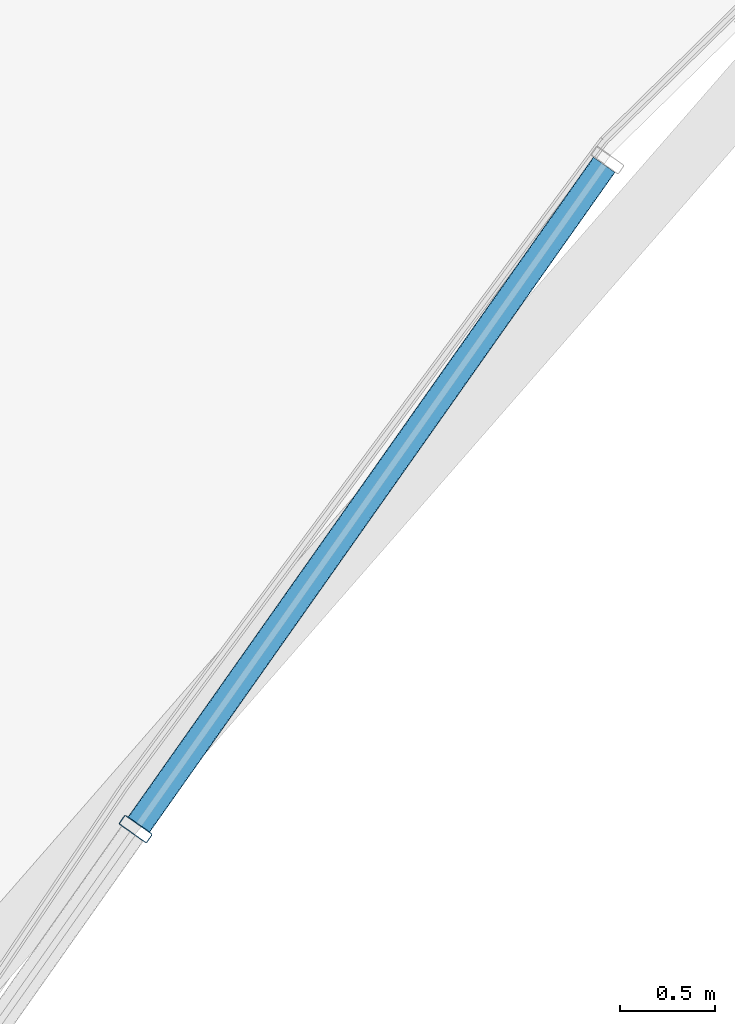
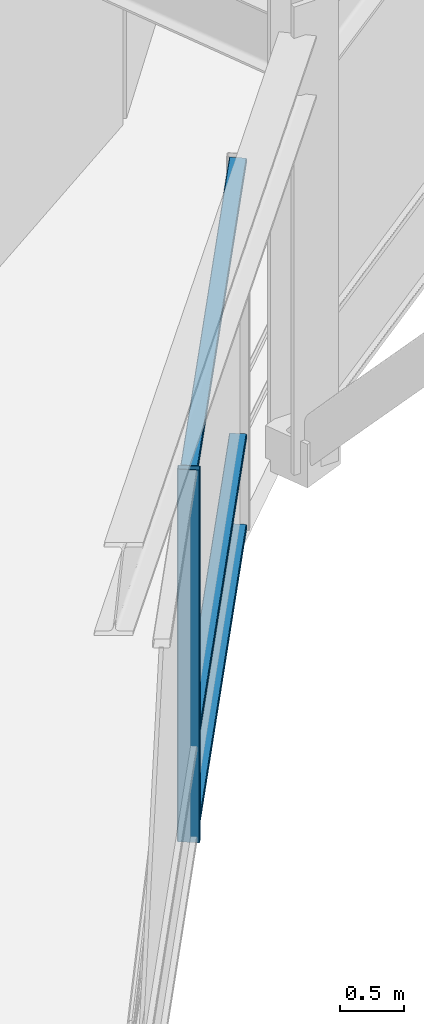
# One storey, part 20 of 55: 4 members, 1 element without a shape of its own.
"""IFC4 building model written with IfcOpenShell, lengths in metres."""

import ifcopenshell
import ifcopenshell.guid

model = None  # the IFC model being written
_history = None  # IfcOwnerHistory: only IFC2X3 demands one
_inside = {}  # id of a spatial element -> (the spatial element, [elements in it])
_under = {}  # id of a project, library or spatial element -> (it, [spatial elements below it])
_declared = {}  # id of a project -> (the project, [libraries it declares])
_typed = {}  # id of a type object -> (the type object, [elements of that type])
_made_of = {}  # id of a material, layer set ... -> (it, [elements and type objects made of it])


def new_model(schema):
    """Start an empty IFC model of exactly this schema.

    Asked for "IFC4X3", IfcOpenShell would pick the latest addendum, in which some entities
    have other attributes; the version numbers below select the first issue.
    IFC2X3 requires an IfcOwnerHistory on every rooted entity: one is made here for all.
    """
    global model, _history
    if schema == "IFC4X3":
        model = ifcopenshell.file(schema_version=(4, 3, 0, 0))
    else:
        model = ifcopenshell.file(schema=schema)
    _inside.clear()
    _under.clear()
    _declared.clear()
    _typed.clear()
    _made_of.clear()
    _history = None
    if model.schema == "IFC2X3":
        org = make("IfcOrganization", Name="unknown")
        user = make(
            "IfcPersonAndOrganization",
            ThePerson=make("IfcPerson", FamilyName="unknown"),
            TheOrganization=org,
        )
        app = make(
            "IfcApplication",
            ApplicationDeveloper=org,
            Version="unknown",
            ApplicationFullName="unknown",
            ApplicationIdentifier="unknown",
        )
        _history = make(
            "IfcOwnerHistory",
            OwningUser=user,
            OwningApplication=app,
            ChangeAction="ADDED",
            CreationDate=0,
        )
    return model


def make(cls, **values):
    """One entity of the class cls with the attributes given. An attribute that is None is left unset."""
    return model.create_entity(
        cls, **{name: value for name, value in values.items() if value is not None}
    )


def rooted(cls, **values):
    """An entity with a GlobalId (a new one), such as an element, a storey or a relation."""
    return make(cls, GlobalId=ifcopenshell.guid.new(), OwnerHistory=_history, **values)


def si_unit(unit_type, name, prefix=None):
    """IfcSIUnit, for example si_unit("LENGTHUNIT", "METRE", prefix="MILLI")."""
    return make("IfcSIUnit", UnitType=unit_type, Prefix=prefix, Name=name)


def assignment(units):
    """IfcUnitAssignment: the units of a project."""
    return None if units is None else make("IfcUnitAssignment", Units=units)


def point(xyz):
    """IfcCartesianPoint."""
    return None if xyz is None else make("IfcCartesianPoint", Coordinates=xyz)


def direction(xyz):
    """IfcDirection."""
    return None if xyz is None else make("IfcDirection", DirectionRatios=xyz)


def frame(location, z_axis=None, x_axis=None):
    """IfcAxis2Placement3D, a coordinate frame: its origin and axes. An axis left out is left unset."""
    return make(
        "IfcAxis2Placement3D",
        Location=point(location),
        Axis=direction(z_axis),
        RefDirection=direction(x_axis),
    )


def frame_2d(location, x_axis=None):
    """IfcAxis2Placement2D, a coordinate frame in the plane: its origin and x axis."""
    return make(
        "IfcAxis2Placement2D", Location=point(location), RefDirection=direction(x_axis)
    )


def origin():
    """The frame at (0, 0, 0) with its axes left unset."""
    return frame((0.0, 0.0, 0.0))


def origin_2d():
    """The frame at (0, 0) in the plane with its x axis left unset."""
    return frame_2d((0.0, 0.0))


def place(relative_to, where):
    """IfcLocalPlacement: puts the frame where relative to a parent placement (None: the world)."""
    return make(
        "IfcLocalPlacement", PlacementRelTo=relative_to, RelativePlacement=where
    )


def context(
    kind, dimensions, precision=None, world=None, true_north=None, identifier=None
):
    """IfcGeometricRepresentationContext, for example the 3D "Model" context."""
    return make(
        "IfcGeometricRepresentationContext",
        ContextIdentifier=identifier,
        ContextType=kind,
        CoordinateSpaceDimension=dimensions,
        Precision=precision,
        WorldCoordinateSystem=world,
        TrueNorth=true_north,
    )


def subcontext(parent, identifier, kind, view, scale=None):
    """IfcGeometricRepresentationSubContext, for example "Body" below "Model"."""
    return make(
        "IfcGeometricRepresentationSubContext",
        ContextIdentifier=identifier,
        ContextType=kind,
        ParentContext=parent,
        TargetScale=scale,
        TargetView=view,
    )


def project(units=None, contexts=None):
    """IfcProject with its units and contexts."""
    return rooted(
        "IfcProject",
        Name="project",
        RepresentationContexts=contexts,
        UnitsInContext=assignment(units),
    )


def spatial(cls, under=None, at=None, **own):
    """A site, building, storey or space (cls), placed at a placement, below another one or the project."""
    s = rooted(cls, ObjectPlacement=at, **own)
    if under is not None:
        _under.setdefault(under.id(), (under, []))[1].append(s)
    return s


def profile(cls, at=None, kind="AREA", **sizes):
    """A parametric profile (cls). Its sizes go by their IFC names, for example OverallWidth=200.0."""
    return make(cls, ProfileType=kind, Position=at, **sizes)


def hollow_rectangle(**sizes):
    """IfcRectangleHollowProfileDef."""
    return profile("IfcRectangleHollowProfileDef", **sizes)


def extrude(swept, where, along, depth):
    """IfcExtrudedAreaSolid: the profile swept, set in the frame where, extruded along a direction by depth."""
    return make(
        "IfcExtrudedAreaSolid",
        SweptArea=swept,
        Position=where,
        ExtrudedDirection=direction(along),
        Depth=depth,
    )


def shape(context_of_items, identifier, shape_type, items):
    """IfcShapeRepresentation: the items that make up one representation, for example the "Body"."""
    return make(
        "IfcShapeRepresentation",
        ContextOfItems=context_of_items,
        RepresentationIdentifier=identifier,
        RepresentationType=shape_type,
        Items=items,
    )


def material(Name=None, Category=None):
    """IfcMaterial."""
    return make("IfcMaterial", Name=Name, Category=Category)


def layer(
    of_material, thickness, ventilated=None, Name=None, Category=None, Priority=None
):
    """IfcMaterialLayer: one layer of a wall or slab, of a material (None: an air gap)."""
    return make(
        "IfcMaterialLayer",
        Material=of_material,
        LayerThickness=thickness,
        IsVentilated=ventilated,
        Name=Name,
        Category=Category,
        Priority=Priority,
    )


def layer_set(layers, Name=None):
    """IfcMaterialLayerSet."""
    return make("IfcMaterialLayerSet", MaterialLayers=layers, LayerSetName=Name)


def material_profile(
    of_material, cross_section, Name=None, Category=None, Priority=None
):
    """IfcMaterialProfile: a cross section and its material."""
    return make(
        "IfcMaterialProfile",
        Name=Name,
        Material=of_material,
        Profile=cross_section,
        Priority=Priority,
        Category=Category,
    )


def profile_set(profiles, Name=None, composite=None):
    """IfcMaterialProfileSet."""
    return make(
        "IfcMaterialProfileSet",
        Name=Name,
        MaterialProfiles=profiles,
        CompositeProfile=composite,
    )


def made_of(thing, what):
    """Note that an element or type object is made of a material, layer set ...; save() writes the relation."""
    if what is not None:
        _made_of.setdefault(what.id(), (what, []))[1].append(thing)
    return thing


def type_object(cls, material=None, **own):
    """A type object (cls), such as IfcWallType, which elements share."""
    return made_of(rooted(cls, **own), material)


def element(
    cls,
    number,
    at=None,
    inside=None,
    cuts=None,
    type_object=None,
    material=None,
    context=None,
    identifier="Body",
    shape_type=None,
    held_by="IfcProductDefinitionShape",
    body=None,
    shapes=None,
    **own,
):
    """One element of the class cls, such as IfcWall. Its Tag is "e" and its number.

    at: its placement. inside: the storey or other place that contains it. cuts: it is an
    opening in that element (IfcRelVoidsElement). A single representation is given by context,
    identifier, shape_type and body (its items); several are given by shapes. held_by: the class
    of the entity that holds the representations. save() writes the other relations.
    """
    e = rooted(cls, Tag="e%d" % number, ObjectPlacement=at, **own)
    if body is not None:
        shapes = [shape(context, identifier, shape_type, body)]
    if shapes is not None:
        e.Representation = make(held_by, Representations=shapes)
    if inside is not None:
        _inside.setdefault(inside.id(), (inside, []))[1].append(e)
    if cuts is not None:
        rooted(
            "IfcRelVoidsElement", RelatingBuildingElement=cuts, RelatedOpeningElement=e
        )
    if type_object is not None:
        _typed.setdefault(type_object.id(), (type_object, []))[1].append(e)
    return made_of(e, material)


def aggregate(whole, parts):
    """IfcRelAggregates: a whole, such as a stair, and the parts it consists of."""
    return rooted("IfcRelAggregates", RelatingObject=whole, RelatedObjects=parts)


def save(model, path):
    """Write the relations noted so far, then the file.

    IfcRelAggregates (storeys below a building ...), IfcRelContainedInSpatialStructure (elements
    in a storey), IfcRelDefinesByType, IfcRelAssociatesMaterial and IfcRelDeclares: one each for
    every whole, place, type object, material and project.
    """
    for whole, parts in _under.values():
        aggregate(whole, parts)
    for where, things in _inside.values():
        rooted(
            "IfcRelContainedInSpatialStructure",
            RelatedElements=things,
            RelatingStructure=where,
        )
    for kind, things in _typed.values():
        rooted("IfcRelDefinesByType", RelatedObjects=things, RelatingType=kind)
    for what, things in _made_of.values():
        rooted("IfcRelAssociatesMaterial", RelatedObjects=things, RelatingMaterial=what)
    for by, libraries in _declared.values():
        rooted("IfcRelDeclares", RelatingContext=by, RelatedDefinitions=libraries)
    model.write(path)


model = new_model("IFC4")

# Units and contexts
model_context = context("Model", 3, precision=1e-05, world=origin(), true_north=direction((0.0, 1.0)))
body_context = subcontext(model_context, "Body", "Model", "MODEL_VIEW")
ifc_project = project(units=[si_unit("LENGTHUNIT", "METRE"), si_unit("AREAUNIT", "SQUARE_METRE"), si_unit("VOLUMEUNIT", "CUBIC_METRE"), si_unit("PLANEANGLEUNIT", "RADIAN"), si_unit("MASSUNIT", "GRAM", prefix="KILO")], contexts=[model_context])

# Site, building, storey
site_placement = place(None, origin())
site = spatial("IfcSite", under=ifc_project, at=site_placement, CompositionType="ELEMENT")
building_placement = place(site_placement, origin())
building = spatial("IfcBuilding", under=site, at=building_placement, Name="Kelanora Arch Commons", CompositionType="ELEMENT")
storey_placement = place(building_placement, frame((0.0, 0.0, 4.5)))
storey = spatial("IfcBuildingStorey", under=building, at=storey_placement, Name="L01", CompositionType="ELEMENT", Elevation=4.5)

# Curtain wall, members
ifc_material_1 = material(Name="Terracotta ceramic-fritted low-E glass and aluminium", Category="masonry")
ifc_layer = layer(ifc_material_1, 0.2099609375)
ifc_layer_set = layer_set([ifc_layer], Name="Terracotta ceramic-fritted low-E glass and aluminium")
curtain_wall_type = type_object("IfcCurtainWallType", Name="CW-SYS-04", PredefinedType="NOTDEFINED", material=ifc_layer_set)
curtain_wall_placement = place(storey_placement, origin())
curtain_wall = element("IfcCurtainWall", 1, at=curtain_wall_placement, inside=storey, type_object=curtain_wall_type, Name="Unitised Curtain Wall L01-B14", PredefinedType="NOTDEFINED")
ifc_material_2 = material(Name="Powder-coated aluminium terracotta", Category="masonry")
ifc_material_profile_1 = material_profile(ifc_material_2, hollow_rectangle(XDim=0.179931640625, YDim=0.06005859375, WallThickness=0.0048828125, InnerFilletRadius=0.0048828125, OuterFilletRadius=0.010009765625, at=origin_2d()), Name="CWM180x60")
ifc_profile_set_1 = profile_set([ifc_material_profile_1], Name="Powder-coated aluminium terracotta")
member_type_1 = type_object("IfcMemberType", Name="CWM-HVY", PredefinedType="MULLION", material=ifc_profile_set_1)
member_1_placement = place(storey_placement, frame((82.1259765625, 38.0078125, 0.0), z_axis=(0.0, 0.0, 1.0), x_axis=(-0.817206133555, 0.576345499922, 0.0)))
member_1 = element("IfcMember", 2, at=member_1_placement, type_object=member_type_1, Name="CW-04 mullion 2", PredefinedType="MULLION", context=body_context, shape_type="SweptSolid", body=[
    extrude(hollow_rectangle(XDim=0.179931640625, YDim=0.06005859375, WallThickness=0.0048828125, InnerFilletRadius=0.0048828125, OuterFilletRadius=0.010009765625, at=origin_2d()), origin(), (0.0, 0.0, 1.0), 3.580078125),
])
ifc_material_profile_2 = material_profile(ifc_material_2, hollow_rectangle(XDim=0.139892578125, YDim=0.06005859375, WallThickness=0.0048828125, InnerFilletRadius=0.0048828125, OuterFilletRadius=0.010009765625, at=origin_2d()), Name="CWT140x60")
ifc_profile_set_2 = profile_set([ifc_material_profile_2], Name="Powder-coated aluminium terracotta")
member_type_2 = type_object("IfcMemberType", Name="CWT-HVY", PredefinedType="USERDEFINED", material=ifc_profile_set_2)
member_2_placement = place(storey_placement, frame((82.143310546875, 38.0322265625, 0.030029296875), z_axis=(0.576321543943, 0.817223028302, 0.0), x_axis=(-0.817223028302, 0.576321543943, 0.0)))
member_2 = element("IfcMember", 3, at=member_2_placement, type_object=member_type_2, Name="CW-04 transom 2.1", ObjectType="TRANSOM", PredefinedType="USERDEFINED", context=body_context, shape_type="SweptSolid", body=[
    extrude(hollow_rectangle(XDim=0.139892578125, YDim=0.06005859375, WallThickness=0.0048828125, InnerFilletRadius=0.0048828125, OuterFilletRadius=0.010009765625, at=origin_2d()), origin(), (0.0, 0.0, 1.0), 4.2412109375),
])
member_3_placement = place(storey_placement, frame((82.143310546875, 38.0322265625, 0.89990234375), z_axis=(0.576321543943, 0.817223028302, 0.0), x_axis=(-0.817223028302, 0.576321543943, 0.0)))
member_3 = element("IfcMember", 4, at=member_3_placement, type_object=member_type_2, Name="CW-04 transom 2.2", ObjectType="TRANSOM", PredefinedType="USERDEFINED", context=body_context, shape_type="SweptSolid", body=[
    extrude(hollow_rectangle(XDim=0.139892578125, YDim=0.06005859375, WallThickness=0.0048828125, InnerFilletRadius=0.0048828125, OuterFilletRadius=0.010009765625, at=origin_2d()), origin(), (0.0, 0.0, 1.0), 4.2412109375),
])
member_4_placement = place(storey_placement, frame((82.143310546875, 38.0322265625, 3.550048828125), z_axis=(0.576321543943, 0.817223028302, 0.0), x_axis=(-0.817223028302, 0.576321543943, 0.0)))
member_4 = element("IfcMember", 5, at=member_4_placement, type_object=member_type_2, Name="CW-04 transom 2.3", ObjectType="TRANSOM", PredefinedType="USERDEFINED", context=body_context, shape_type="SweptSolid", body=[
    extrude(hollow_rectangle(XDim=0.139892578125, YDim=0.06005859375, WallThickness=0.0048828125, InnerFilletRadius=0.0048828125, OuterFilletRadius=0.010009765625, at=origin_2d()), origin(), (0.0, 0.0, 1.0), 4.2412109375),
])
aggregate(curtain_wall, [member_1, member_2, member_3, member_4])

save(model, "model.ifc")
